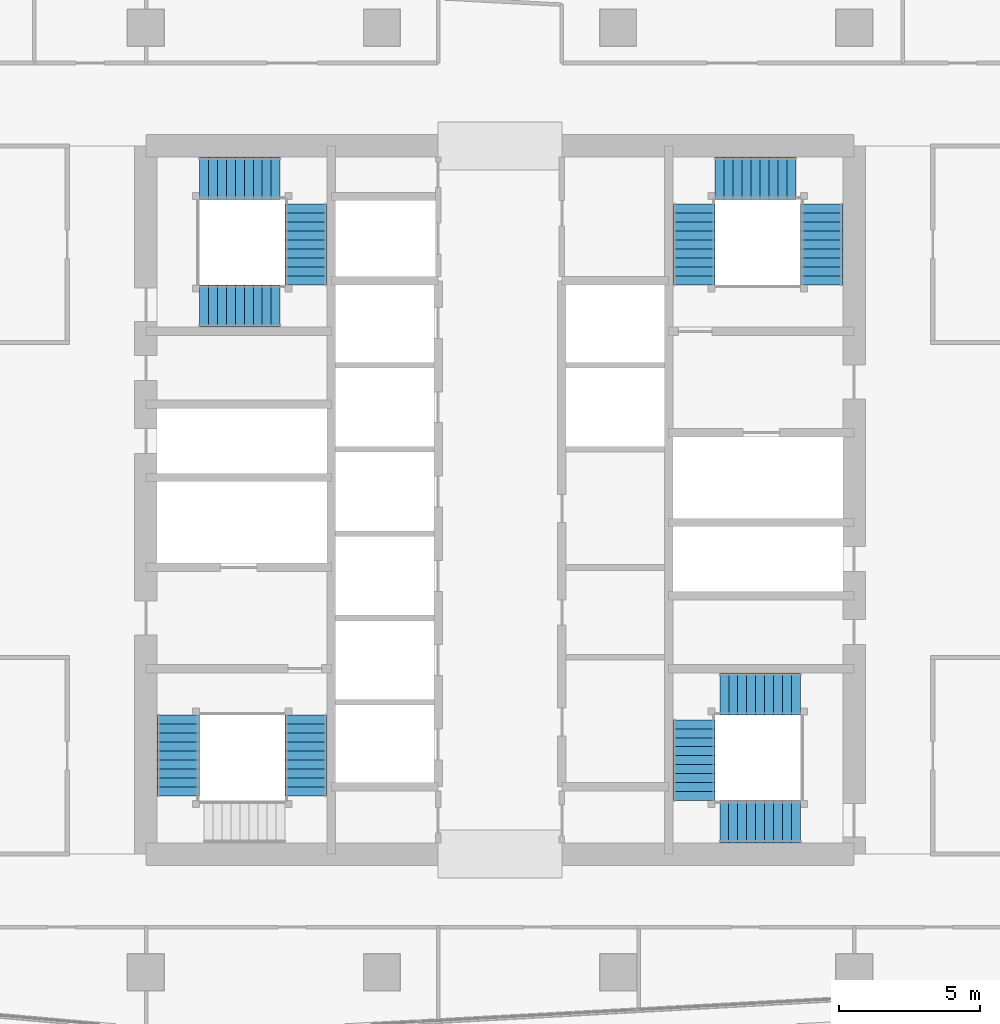
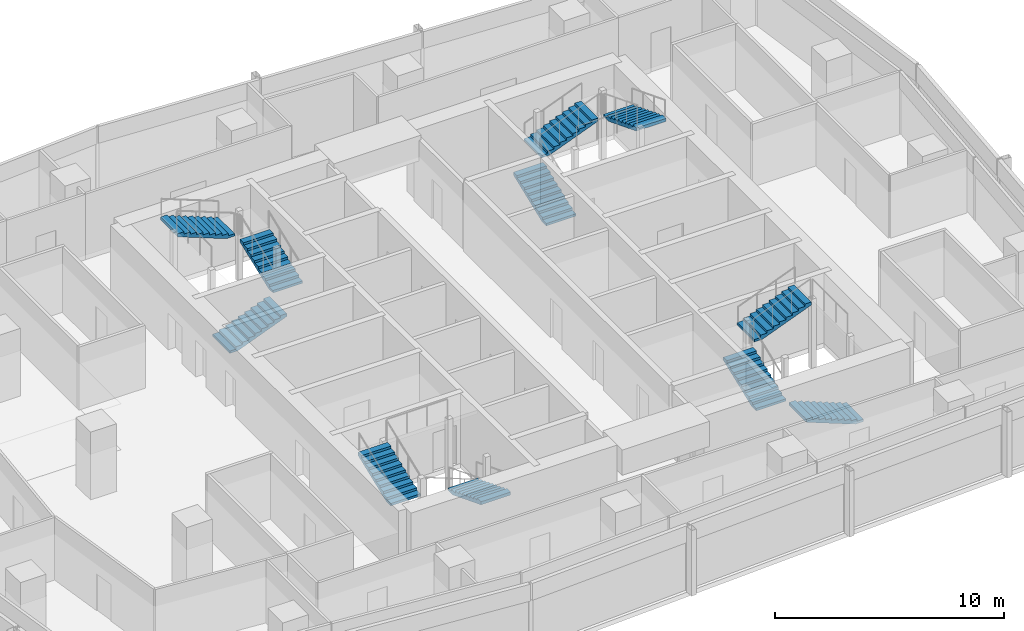
# One storey, part 25 of 29: 11 stair flights, 4 elements without a shape of their own.
"""IFC4 building model written with IfcOpenShell, lengths in metres."""

from ifc_helpers import new_model, si_unit, direction, frame, origin, place, context, subcontext, project, spatial, polyline, outline, extrude, material, type_object, element, aggregate, save


model = new_model("IFC4")

# Units and contexts
model_context = context("Model", 3, precision=1e-05, world=origin(), true_north=direction((0.0, 1.0)))
body_context = subcontext(model_context, "Body", "Model", "MODEL_VIEW")
ifc_project = project(units=[si_unit("LENGTHUNIT", "METRE"), si_unit("AREAUNIT", "SQUARE_METRE"), si_unit("VOLUMEUNIT", "CUBIC_METRE"), si_unit("PLANEANGLEUNIT", "RADIAN"), si_unit("MASSUNIT", "GRAM", prefix="KILO")], contexts=[model_context])

# Site, building, storey
site_placement = place(None, origin())
site = spatial("IfcSite", under=ifc_project, at=site_placement, CompositionType="ELEMENT")
building_placement = place(site_placement, origin())
building = spatial("IfcBuilding", under=site, at=building_placement, Name="Rekha Terrace Tower", CompositionType="ELEMENT")
storey_placement = place(building_placement, frame((0.0, 0.0, 276.35009765625)))
storey = spatial("IfcBuildingStorey", under=building, at=storey_placement, Name="L70", CompositionType="ELEMENT", Elevation=276.35009765625)

# Stair, stair flights
ifc_material = material(Name="Concrete M40", Category="concrete")
stair_type = type_object("IfcStairType", Name="ST30 stair, 30 risers of 125, going 320, 1500 wide flights, 3 flights", PredefinedType="HALF_TURN_STAIR", material=ifc_material)
stair_1_placement = place(storey_placement, origin())
stair_1 = element("IfcStair", 1, at=stair_1_placement, inside=storey, type_object=stair_type, Name="Stair ST1 L70 to L71", PredefinedType="HALF_TURN_STAIR")
stair_flight_type = type_object("IfcStairFlightType", Name="SF10 stair flight, 10 risers of 125, going 320, 1500 wide", PredefinedType="STRAIGHT", material=ifc_material)
stair_flight_1_placement = place(storey_placement, frame((30.89990234375, 25.949951171875, 0.0), z_axis=(0.0, 0.0, 1.0), x_axis=(0.0, -1.0, 0.0)))
stair_flight_1 = element("IfcStairFlight", 2, at=stair_flight_1_placement, type_object=stair_flight_type, Name="ST1 flight 1", NumberOfRisers=10, NumberOfTreads=9, PredefinedType="STRAIGHT", RiserHeight=0.125, TreadLength=0.32, context=body_context, shape_type="SweptSolid", body=[
    extrude(outline(polyline([(0.0, 0.0), (0.0, 0.125), (0.320068359375, 0.125), (0.320068359375, 0.25), (0.639892578125, 0.25), (0.639892578125, 0.375), (0.9599609375, 0.375), (0.9599609375, 0.5), (1.280029296875, 0.5), (1.280029296875, 0.625), (1.60009765625, 0.625), (1.60009765625, 0.75), (1.919921875, 0.75), (1.919921875, 0.875), (2.239990234375, 0.875), (2.239990234375, 1.0), (2.56005859375, 1.0), (2.56005859375, 1.125), (2.8798828125, 1.125), (2.8798828125, 1.25), (2.8798828125, 0.964111328125), (0.412109375, 0.0), (0.0, 0.0)])), frame((0.0, 0.75, 0.0), z_axis=(0.0, -1.0, 0.0), x_axis=(1.0, 0.0, 0.0)), (0.0, 0.0, 1.0), 1.5),
])
stair_flight_2_placement = place(storey_placement, frame((26.35009765625, 23.070068359375, 2.5), z_axis=(0.0, 0.0, 1.0), x_axis=(0.0, 1.0, 0.0)))
stair_flight_2 = element("IfcStairFlight", 3, at=stair_flight_2_placement, type_object=stair_flight_type, Name="ST1 flight 3", NumberOfRisers=10, NumberOfTreads=9, PredefinedType="STRAIGHT", RiserHeight=0.125, TreadLength=0.32, context=body_context, shape_type="SweptSolid", body=[
    extrude(outline(polyline([(0.0, 0.0), (0.0, 0.125), (0.320068359375, 0.125), (0.320068359375, 0.25), (0.639892578125, 0.25), (0.639892578125, 0.375), (0.9599609375, 0.375), (0.9599609375, 0.5), (1.280029296875, 0.5), (1.280029296875, 0.625), (1.60009765625, 0.625), (1.60009765625, 0.75), (1.919921875, 0.75), (1.919921875, 0.875), (2.239990234375, 0.875), (2.239990234375, 1.0), (2.56005859375, 1.0), (2.56005859375, 1.125), (2.8798828125, 1.125), (2.8798828125, 1.25), (2.8798828125, 0.964111328125), (0.412109375, 0.0), (0.0, 0.0)])), frame((0.0, 0.75, 0.0), z_axis=(0.0, -1.0, 0.0), x_axis=(1.0, 0.0, 0.0)), (0.0, 0.0, 1.0), 1.5),
])
aggregate(stair_1, [stair_flight_1, stair_flight_2])

stair_2_placement = place(storey_placement, origin())
stair_2 = element("IfcStair", 4, at=stair_2_placement, inside=storey, type_object=stair_type, Name="Stair ST2 L70 to L71", PredefinedType="HALF_TURN_STAIR")
stair_flight_3_placement = place(storey_placement, frame((44.699951171875, 41.25, 0.0), z_axis=(0.0, 0.0, 1.0), x_axis=(0.0, 1.0, 0.0)))
stair_flight_3 = element("IfcStairFlight", 5, at=stair_flight_3_placement, type_object=stair_flight_type, Name="ST2 flight 1", NumberOfRisers=10, NumberOfTreads=9, PredefinedType="STRAIGHT", RiserHeight=0.125, TreadLength=0.32, context=body_context, shape_type="SweptSolid", body=[
    extrude(outline(polyline([(0.0, 0.0), (0.0, 0.125), (0.320068359375, 0.125), (0.320068359375, 0.25), (0.639892578125, 0.25), (0.639892578125, 0.375), (0.9599609375, 0.375), (0.9599609375, 0.5), (1.280029296875, 0.5), (1.280029296875, 0.625), (1.60009765625, 0.625), (1.60009765625, 0.75), (1.919921875, 0.75), (1.919921875, 0.875), (2.239990234375, 0.875), (2.239990234375, 1.0), (2.56005859375, 1.0), (2.56005859375, 1.125), (2.8798828125, 1.125), (2.8798828125, 1.25), (2.8798828125, 0.964111328125), (0.412109375, 0.0), (0.0, 0.0)])), frame((0.0, 0.75, 0.0), z_axis=(0.0, -1.0, 0.0), x_axis=(1.0, 0.0, 0.0)), (0.0, 0.0, 1.0), 1.5),
])
stair_flight_4_placement = place(storey_placement, frame((45.449951171875, 45.050048828125, 1.25), z_axis=(0.0, 0.0, 1.0), x_axis=(1.0, 0.0, 0.0)))
stair_flight_4 = element("IfcStairFlight", 6, at=stair_flight_4_placement, type_object=stair_flight_type, Name="ST2 flight 2", NumberOfRisers=10, NumberOfTreads=9, PredefinedType="STRAIGHT", RiserHeight=0.125, TreadLength=0.32, context=body_context, shape_type="SweptSolid", body=[
    extrude(outline(polyline([(0.0, 0.0), (0.0, 0.125), (0.320068359375, 0.125), (0.320068359375, 0.25), (0.639892578125, 0.25), (0.639892578125, 0.375), (0.9599609375, 0.375), (0.9599609375, 0.5), (1.280029296875, 0.5), (1.280029296875, 0.625), (1.60009765625, 0.625), (1.60009765625, 0.75), (1.919921875, 0.75), (1.919921875, 0.875), (2.239990234375, 0.875), (2.239990234375, 1.0), (2.56005859375, 1.0), (2.56005859375, 1.125), (2.8798828125, 1.125), (2.8798828125, 1.25), (2.8798828125, 0.964111328125), (0.412109375, 0.0), (0.0, 0.0)])), frame((0.0, 0.75, 0.0), z_axis=(0.0, -1.0, 0.0), x_axis=(1.0, 0.0, 0.0)), (0.0, 0.0, 1.0), 1.5),
])
stair_flight_5_placement = place(storey_placement, frame((49.25, 44.1298828125, 2.5), z_axis=(0.0, 0.0, 1.0), x_axis=(0.0, -1.0, 0.0)))
stair_flight_5 = element("IfcStairFlight", 7, at=stair_flight_5_placement, type_object=stair_flight_type, Name="ST2 flight 3", NumberOfRisers=10, NumberOfTreads=9, PredefinedType="STRAIGHT", RiserHeight=0.125, TreadLength=0.32, context=body_context, shape_type="SweptSolid", body=[
    extrude(outline(polyline([(0.0, 0.0), (0.0, 0.125), (0.320068359375, 0.125), (0.320068359375, 0.25), (0.639892578125, 0.25), (0.639892578125, 0.375), (0.9599609375, 0.375), (0.9599609375, 0.5), (1.280029296875, 0.5), (1.280029296875, 0.625), (1.60009765625, 0.625), (1.60009765625, 0.75), (1.919921875, 0.75), (1.919921875, 0.875), (2.239990234375, 0.875), (2.239990234375, 1.0), (2.56005859375, 1.0), (2.56005859375, 1.125), (2.8798828125, 1.125), (2.8798828125, 1.25), (2.8798828125, 0.964111328125), (0.412109375, 0.0), (0.0, 0.0)])), frame((0.0, 0.75, 0.0), z_axis=(0.0, -1.0, 0.0), x_axis=(1.0, 0.0, 0.0)), (0.0, 0.0, 1.0), 1.5),
])
aggregate(stair_2, [stair_flight_3, stair_flight_4, stair_flight_5])

stair_3_placement = place(storey_placement, origin())
stair_3 = element("IfcStair", 8, at=stair_3_placement, inside=storey, type_object=stair_type, Name="Stair ST3 L70 to L71", PredefinedType="HALF_TURN_STAIR")
stair_flight_6_placement = place(storey_placement, frame((48.5, 22.14990234375, 0.0), z_axis=(0.0, 0.0, 1.0), x_axis=(-1.0, 0.0, 0.0)))
stair_flight_6 = element("IfcStairFlight", 9, at=stair_flight_6_placement, type_object=stair_flight_type, Name="ST3 flight 1", NumberOfRisers=10, NumberOfTreads=9, PredefinedType="STRAIGHT", RiserHeight=0.125, TreadLength=0.32, context=body_context, shape_type="SweptSolid", body=[
    extrude(outline(polyline([(0.0, 0.0), (0.0, 0.125), (0.320068359375, 0.125), (0.320068359375, 0.25), (0.639892578125, 0.25), (0.639892578125, 0.375), (0.9599609375, 0.375), (0.9599609375, 0.5), (1.280029296875, 0.5), (1.280029296875, 0.625), (1.60009765625, 0.625), (1.60009765625, 0.75), (1.919921875, 0.75), (1.919921875, 0.875), (2.239990234375, 0.875), (2.239990234375, 1.0), (2.56005859375, 1.0), (2.56005859375, 1.125), (2.8798828125, 1.125), (2.8798828125, 1.25), (2.8798828125, 0.964111328125), (0.412109375, 0.0), (0.0, 0.0)])), frame((0.0, 0.75, 0.0), z_axis=(0.0, -1.0, 0.0), x_axis=(1.0, 0.0, 0.0)), (0.0, 0.0, 1.0), 1.5),
])
stair_flight_7_placement = place(storey_placement, frame((44.699951171875, 22.89990234375, 1.25), z_axis=(0.0, 0.0, 1.0), x_axis=(0.0, 1.0, 0.0)))
stair_flight_7 = element("IfcStairFlight", 10, at=stair_flight_7_placement, type_object=stair_flight_type, Name="ST3 flight 2", NumberOfRisers=10, NumberOfTreads=9, PredefinedType="STRAIGHT", RiserHeight=0.125, TreadLength=0.32, context=body_context, shape_type="SweptSolid", body=[
    extrude(outline(polyline([(0.0, 0.0), (0.0, 0.125), (0.320068359375, 0.125), (0.320068359375, 0.25), (0.639892578125, 0.25), (0.639892578125, 0.375), (0.9599609375, 0.375), (0.9599609375, 0.5), (1.280029296875, 0.5), (1.280029296875, 0.625), (1.60009765625, 0.625), (1.60009765625, 0.75), (1.919921875, 0.75), (1.919921875, 0.875), (2.239990234375, 0.875), (2.239990234375, 1.0), (2.56005859375, 1.0), (2.56005859375, 1.125), (2.8798828125, 1.125), (2.8798828125, 1.25), (2.8798828125, 0.964111328125), (0.412109375, 0.0), (0.0, 0.0)])), frame((0.0, 0.75, 0.0), z_axis=(0.0, -1.0, 0.0), x_axis=(1.0, 0.0, 0.0)), (0.0, 0.0, 1.0), 1.5),
])
stair_flight_8_placement = place(storey_placement, frame((45.6201171875, 26.699951171875, 2.5), z_axis=(0.0, 0.0, 1.0), x_axis=(1.0, 0.0, 0.0)))
stair_flight_8 = element("IfcStairFlight", 11, at=stair_flight_8_placement, type_object=stair_flight_type, Name="ST3 flight 3", NumberOfRisers=10, NumberOfTreads=9, PredefinedType="STRAIGHT", RiserHeight=0.125, TreadLength=0.32, context=body_context, shape_type="SweptSolid", body=[
    extrude(outline(polyline([(0.0, 0.0), (0.0, 0.125), (0.320068359375, 0.125), (0.320068359375, 0.25), (0.639892578125, 0.25), (0.639892578125, 0.375), (0.9599609375, 0.375), (0.9599609375, 0.5), (1.280029296875, 0.5), (1.280029296875, 0.625), (1.60009765625, 0.625), (1.60009765625, 0.75), (1.919921875, 0.75), (1.919921875, 0.875), (2.239990234375, 0.875), (2.239990234375, 1.0), (2.56005859375, 1.0), (2.56005859375, 1.125), (2.8798828125, 1.125), (2.8798828125, 1.25), (2.8798828125, 0.964111328125), (0.412109375, 0.0), (0.0, 0.0)])), frame((0.0, 0.75, 0.0), z_axis=(0.0, -1.0, 0.0), x_axis=(1.0, 0.0, 0.0)), (0.0, 0.0, 1.0), 1.5),
])
aggregate(stair_3, [stair_flight_6, stair_flight_7, stair_flight_8])

stair_4_placement = place(storey_placement, origin())
stair_4 = element("IfcStair", 12, at=stair_4_placement, inside=storey, type_object=stair_type, Name="Stair ST4 L70 to L71", PredefinedType="HALF_TURN_STAIR")
stair_flight_9_placement = place(storey_placement, frame((27.10009765625, 40.5, 0.0), z_axis=(0.0, 0.0, 1.0), x_axis=(1.0, 0.0, 0.0)))
stair_flight_9 = element("IfcStairFlight", 13, at=stair_flight_9_placement, type_object=stair_flight_type, Name="ST4 flight 1", NumberOfRisers=10, NumberOfTreads=9, PredefinedType="STRAIGHT", RiserHeight=0.125, TreadLength=0.32, context=body_context, shape_type="SweptSolid", body=[
    extrude(outline(polyline([(0.0, 0.0), (0.0, 0.125), (0.320068359375, 0.125), (0.320068359375, 0.25), (0.639892578125, 0.25), (0.639892578125, 0.375), (0.9599609375, 0.375), (0.9599609375, 0.5), (1.280029296875, 0.5), (1.280029296875, 0.625), (1.60009765625, 0.625), (1.60009765625, 0.75), (1.919921875, 0.75), (1.919921875, 0.875), (2.239990234375, 0.875), (2.239990234375, 1.0), (2.56005859375, 1.0), (2.56005859375, 1.125), (2.8798828125, 1.125), (2.8798828125, 1.25), (2.8798828125, 0.964111328125), (0.412109375, 0.0), (0.0, 0.0)])), frame((0.0, 0.75, 0.0), z_axis=(0.0, -1.0, 0.0), x_axis=(1.0, 0.0, 0.0)), (0.0, 0.0, 1.0), 1.5),
])
stair_flight_10_placement = place(storey_placement, frame((30.89990234375, 41.25, 1.25), z_axis=(0.0, 0.0, 1.0), x_axis=(0.0, 1.0, 0.0)))
stair_flight_10 = element("IfcStairFlight", 14, at=stair_flight_10_placement, type_object=stair_flight_type, Name="ST4 flight 2", NumberOfRisers=10, NumberOfTreads=9, PredefinedType="STRAIGHT", RiserHeight=0.125, TreadLength=0.32, context=body_context, shape_type="SweptSolid", body=[
    extrude(outline(polyline([(0.0, 0.0), (0.0, 0.125), (0.320068359375, 0.125), (0.320068359375, 0.25), (0.639892578125, 0.25), (0.639892578125, 0.375), (0.9599609375, 0.375), (0.9599609375, 0.5), (1.280029296875, 0.5), (1.280029296875, 0.625), (1.60009765625, 0.625), (1.60009765625, 0.75), (1.919921875, 0.75), (1.919921875, 0.875), (2.239990234375, 0.875), (2.239990234375, 1.0), (2.56005859375, 1.0), (2.56005859375, 1.125), (2.8798828125, 1.125), (2.8798828125, 1.25), (2.8798828125, 0.964111328125), (0.412109375, 0.0), (0.0, 0.0)])), frame((0.0, 0.75, 0.0), z_axis=(0.0, -1.0, 0.0), x_axis=(1.0, 0.0, 0.0)), (0.0, 0.0, 1.0), 1.5),
])
stair_flight_11_placement = place(storey_placement, frame((29.97998046875, 45.050048828125, 2.5), z_axis=(0.0, 0.0, 1.0), x_axis=(-1.0, 0.0, 0.0)))
stair_flight_11 = element("IfcStairFlight", 15, at=stair_flight_11_placement, type_object=stair_flight_type, Name="ST4 flight 3", NumberOfRisers=10, NumberOfTreads=9, PredefinedType="STRAIGHT", RiserHeight=0.125, TreadLength=0.32, context=body_context, shape_type="SweptSolid", body=[
    extrude(outline(polyline([(0.0, 0.0), (0.0, 0.125), (0.320068359375, 0.125), (0.320068359375, 0.25), (0.639892578125, 0.25), (0.639892578125, 0.375), (0.9599609375, 0.375), (0.9599609375, 0.5), (1.280029296875, 0.5), (1.280029296875, 0.625), (1.60009765625, 0.625), (1.60009765625, 0.75), (1.919921875, 0.75), (1.919921875, 0.875), (2.239990234375, 0.875), (2.239990234375, 1.0), (2.56005859375, 1.0), (2.56005859375, 1.125), (2.8798828125, 1.125), (2.8798828125, 1.25), (2.8798828125, 0.964111328125), (0.412109375, 0.0), (0.0, 0.0)])), frame((0.0, 0.75, 0.0), z_axis=(0.0, -1.0, 0.0), x_axis=(1.0, 0.0, 0.0)), (0.0, 0.0, 1.0), 1.5),
])
aggregate(stair_4, [stair_flight_9, stair_flight_10, stair_flight_11])

save(model, "model.ifc")
